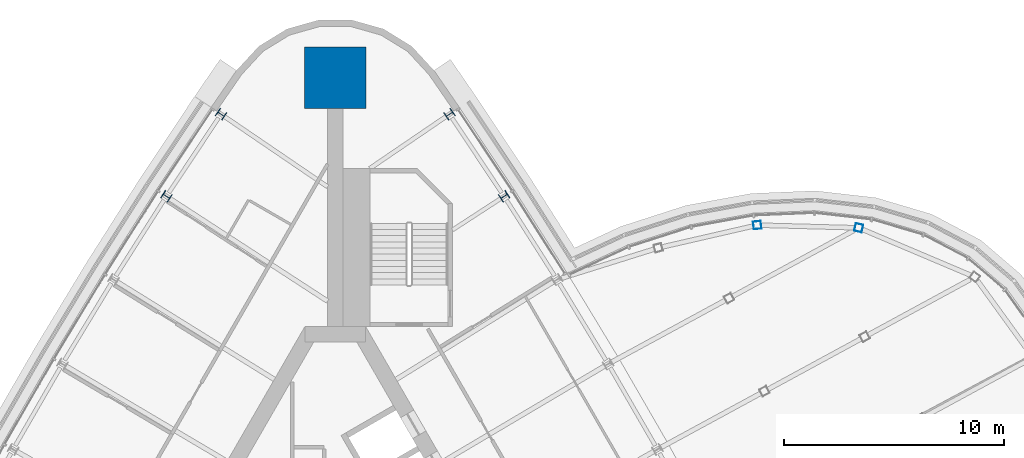
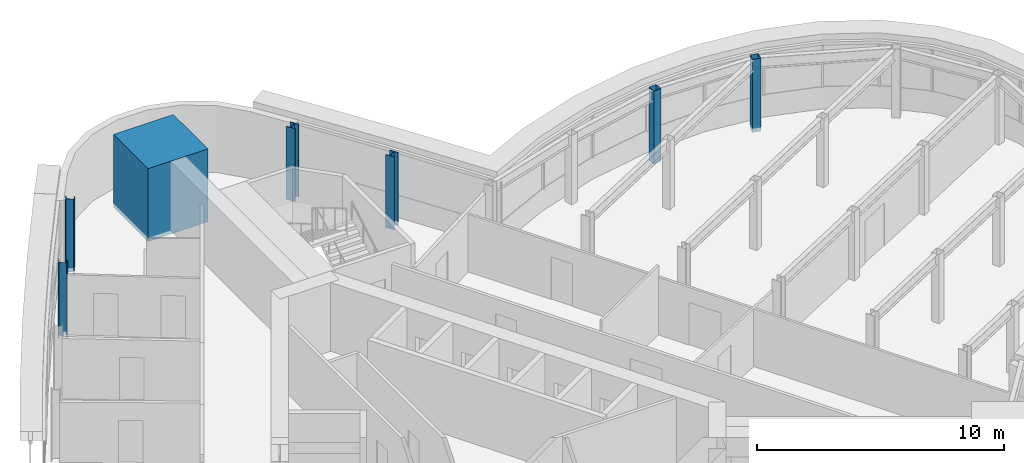
# One storey, part 3 of 15: 7 columns.
"""IFC4 building model written with IfcOpenShell, lengths in metres."""

from ifc_helpers import new_model, si_unit, direction, frame, origin, origin_2d, place, context, subcontext, project, spatial, rectangle, hollow_rectangle, i_section, extrude, material, material_profile, profile_set, type_object, element, save


model = new_model("IFC4")

# Units and contexts
model_context = context("Model", 3, precision=1e-05, world=origin(), true_north=direction((0.0, 1.0)))
body_context = subcontext(model_context, "Body", "Model", "MODEL_VIEW")
ifc_project = project(units=[si_unit("LENGTHUNIT", "METRE"), si_unit("AREAUNIT", "SQUARE_METRE"), si_unit("VOLUMEUNIT", "CUBIC_METRE"), si_unit("PLANEANGLEUNIT", "RADIAN"), si_unit("MASSUNIT", "GRAM", prefix="KILO")], contexts=[model_context])

# Site, building, storey
site_placement = place(None, origin())
site = spatial("IfcSite", under=ifc_project, at=site_placement, CompositionType="ELEMENT")
building_placement = place(site_placement, origin())
building = spatial("IfcBuilding", under=site, at=building_placement, Name="Noor Cloister Tower", CompositionType="ELEMENT")
storey_placement = place(building_placement, frame((0.0, 0.0, 181.5)))
storey = spatial("IfcBuildingStorey", under=building, at=storey_placement, Name="L46", CompositionType="ELEMENT", Elevation=181.5)

# Columns
ifc_material_1 = material(Name="Steel ASTM A992 Gr 50", Category="steel")
ifc_material_profile_1 = material_profile(ifc_material_1, i_section(OverallWidth=0.39404296875, OverallDepth=0.3759765625, WebThickness=0.017333984375, FlangeThickness=0.027587890625, FilletRadius=0.01513671875, at=origin_2d()), Name="W360x216")
ifc_profile_set_1 = profile_set([ifc_material_profile_1], Name="Steel ASTM A992 Gr 50")
column_type_1 = type_object("IfcColumnType", Name="Column W360x216", PredefinedType="COLUMN", material=ifc_profile_set_1)
for number, where, z_axis, x_axis, name in (
    (1, (-5.19775390625, 21.123779296875, -0.199951171875), (0.0, 0.0, 1.0), (-0.562771100016, -0.826612780561, 0.0), "Column NW 01 L46"),
    (2, (-7.68408203125, 17.38720703125, -0.199951171875), (0.0, 0.0, 1.0), (-0.545137193542, -0.83834684959, 0.0), "Column NW 02 L46"),
    (3, (7.68408203125, 17.38720703125, -0.199951171875), (0.0, 0.0, 1.0), (-0.545137193542, 0.83834684959, 0.0), "Column NE 07 L46"),
    (4, (5.19775390625, 21.123779296875, -0.199951171875), (0.0, 0.0, 1.0), (-0.562771100016, 0.826612780561, 0.0), "Column NE 08 L46"),
):
    element("IfcColumn", number, at=place(storey_placement, frame(where, z_axis=z_axis, x_axis=x_axis)), inside=storey, type_object=column_type_1, Name=name, PredefinedType="COLUMN", context=body_context, shape_type="SweptSolid", body=[
        extrude(i_section(OverallWidth=0.39404296875, OverallDepth=0.3759765625, WebThickness=0.017333984375, FlangeThickness=0.027587890625, FilletRadius=0.01513671875, at=origin_2d()), origin(), (0.0, 0.0, 1.0), 3.599853515625),
    ])
ifc_material_2 = material(Name="Concrete C70/85", Category="concrete")
ifc_material_profile_2 = material_profile(ifc_material_2, rectangle(XDim=2.800048828125, YDim=2.800048828125, at=origin_2d()), Name="RC 2800x2800")
ifc_profile_set_2 = profile_set([ifc_material_profile_2], Name="Concrete C70/85")
column_type_2 = type_object("IfcColumnType", Name="Corner pier 2800 x 2800 C70/85", PredefinedType="COLUMN", material=ifc_profile_set_2)
column_placement = place(storey_placement, frame((0.0, 22.783935546875, -0.199951171875), z_axis=(0.0, 0.0, 1.0), x_axis=(0.0, 1.0, 0.0)))
element("IfcColumn", 5, at=column_placement, inside=storey, type_object=column_type_2, Name="Corner pier N L46", PredefinedType="COLUMN", context=body_context, shape_type="SweptSolid", body=[
    extrude(rectangle(XDim=2.800048828125, YDim=2.800048828125, at=origin_2d()), origin(), (0.0, 0.0, 1.0), 3.599853515625),
])
ifc_material_3 = material(Name="Steel ASTM A500 Gr C", Category="steel")
ifc_material_profile_3 = material_profile(ifc_material_3, hollow_rectangle(XDim=0.35595703125, YDim=0.35595703125, WallThickness=0.0126953125, at=origin_2d()), Name="HSS355.6x355.6x12.7")
ifc_profile_set_3 = profile_set([ifc_material_profile_3], Name="Steel ASTM A500 Gr C")
column_type_3 = type_object("IfcColumnType", Name="Pod post HSS355.6x355.6x12.7", PredefinedType="COLUMN", material=ifc_profile_set_3)
for number, where, z_axis, x_axis, name in (
    (6, (23.81982421875, 15.95458984375, -0.199951171875), (0.0, 0.0, 1.0), (-0.97270931085, 0.232027146227, 0.0), "Pod post 3 L46 ring 8"),
    (7, (19.203857421875, 16.078369140625, -0.199951171875), (0.0, 0.0, 1.0), (-0.995050087927, -0.099374657313, 0.0), "Pod post 3 L46 ring 9"),
):
    element("IfcColumn", number, at=place(storey_placement, frame(where, z_axis=z_axis, x_axis=x_axis)), inside=storey, type_object=column_type_3, Name=name, PredefinedType="COLUMN", context=body_context, shape_type="SweptSolid", body=[
        extrude(hollow_rectangle(XDim=0.35595703125, YDim=0.35595703125, WallThickness=0.0126953125, at=origin_2d()), origin(), (0.0, 0.0, 1.0), 3.599853515625),
    ])

save(model, "model.ifc")
